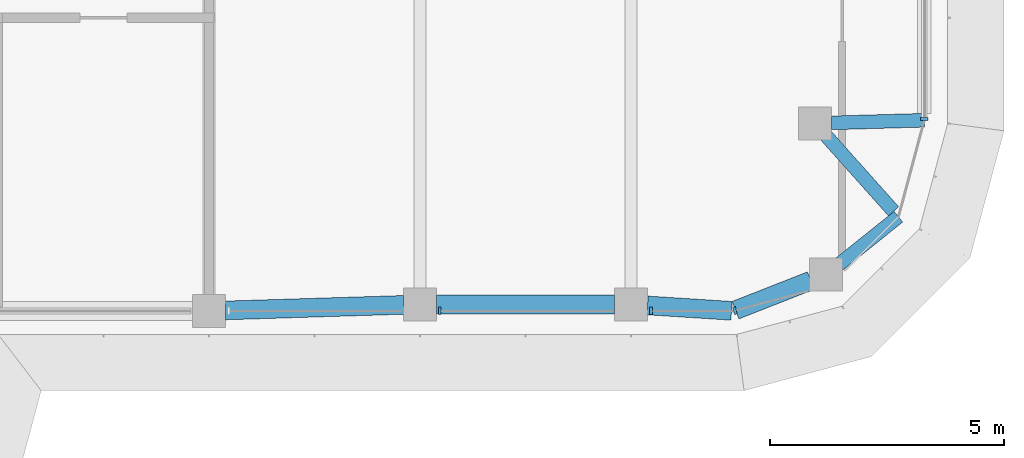
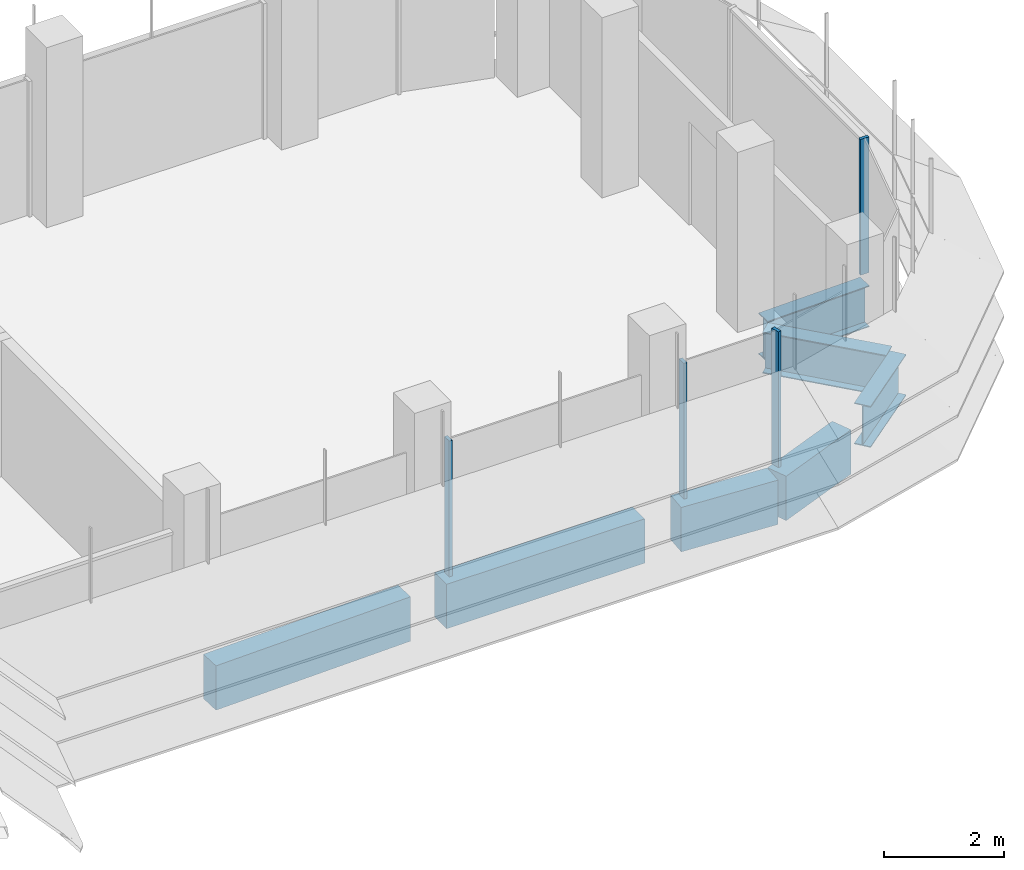
# One storey, part 5 of 18: 7 beams, 4 members, 3 elements without a shape of their own.
"""IFC4 building model written with IfcOpenShell, lengths in metres."""

from ifc_helpers import new_model, si_unit, direction, frame, origin, origin_2d, place, context, subcontext, project, spatial, polyline, rectangle, i_section, outline, extrude, source, transform, mapped, material, material_profile, profile_set, type_object, element, aggregate, save


model = new_model("IFC4")

# Units and contexts
model_context = context("Model", 3, precision=1e-05, world=origin(), true_north=direction((0.0, 1.0)))
body_context = subcontext(model_context, "Body", "Model", "MODEL_VIEW")
ifc_project = project(units=[si_unit("LENGTHUNIT", "METRE"), si_unit("AREAUNIT", "SQUARE_METRE"), si_unit("VOLUMEUNIT", "CUBIC_METRE"), si_unit("PLANEANGLEUNIT", "RADIAN"), si_unit("MASSUNIT", "GRAM", prefix="KILO")], contexts=[model_context])

# Site, building, storey
site_placement = place(None, origin())
site = spatial("IfcSite", under=ifc_project, at=site_placement, CompositionType="ELEMENT")
building_placement = place(site_placement, origin())
building = spatial("IfcBuilding", under=site, at=building_placement, Name="Zarbagh Exchange Tower", CompositionType="ELEMENT")
storey_placement = place(building_placement, frame((0.0, 0.0, 210.60009765625)))
storey = spatial("IfcBuildingStorey", under=building, at=storey_placement, Name="L51", CompositionType="ELEMENT", Elevation=210.60009765625)

# Beams
ifc_material_1 = material(Name="Steel ASTM A992 Gr 50", Category="steel")
ifc_material_profile_1 = material_profile(ifc_material_1, i_section(OverallWidth=0.2919921875, OverallDepth=0.835693359375, WebThickness=0.013916015625, FlangeThickness=0.018798828125, at=origin_2d()), Name="W33X118")
ifc_profile_set_1 = profile_set([ifc_material_profile_1], Name="Steel ASTM A992 Gr 50")
beam_type_1 = type_object("IfcBeamType", Name="Floor girder W33X118", PredefinedType="BEAM", material=ifc_profile_set_1)
beam_1_placement = place(storey_placement, frame((31.0, -2.18408203125, -0.56787109375), z_axis=(-0.999601581355, -0.028225494714, 0.0), x_axis=(0.028225494714, -0.999601581355, 0.0)))
element("IfcBeam", 1, at=beam_1_placement, inside=storey, type_object=beam_type_1, Name="Steel girder", PredefinedType="BEAM", context=body_context, shape_type="SweptSolid", body=[
    extrude(i_section(OverallWidth=0.2919921875, OverallDepth=0.835693359375, WebThickness=0.013916015625, FlangeThickness=0.018798828125, at=origin_2d()), origin(), (0.0, 0.0, 1.0), 1.980712890625),
])
beam_2_placement = place(storey_placement, frame((28.9033203125, -2.510986328125, -0.56787109375), z_axis=(0.666194955403, -0.745777635355, 0.0), x_axis=(0.745777635355, 0.666194955403, 0.0)))
element("IfcBeam", 2, at=beam_2_placement, inside=storey, type_object=beam_type_1, Name="Steel girder", PredefinedType="BEAM", context=body_context, shape_type="SweptSolid", body=[
    extrude(i_section(OverallWidth=0.2919921875, OverallDepth=0.835693359375, WebThickness=0.013916015625, FlangeThickness=0.018798828125, at=origin_2d()), origin(), (0.0, 0.0, 1.0), 2.165771484375),
])
beam_3_placement = place(storey_placement, frame((30.44873046875, -4.2412109375, -0.56787109375), z_axis=(-0.780619385558, -0.625006699877, 0.0), x_axis=(0.625006699877, -0.780619385558, 0.0)))
element("IfcBeam", 3, at=beam_3_placement, inside=storey, type_object=beam_type_1, Name="Steel girder", PredefinedType="BEAM", context=body_context, shape_type="SweptSolid", body=[
    extrude(i_section(OverallWidth=0.2919921875, OverallDepth=0.835693359375, WebThickness=0.013916015625, FlangeThickness=0.018798828125, at=origin_2d()), origin(), (0.0, 0.0, 1.0), 1.623779296875),
])
ifc_material_2 = material(Name="Concrete C50/60", Category="concrete")
ifc_material_profile_2 = material_profile(ifc_material_2, rectangle(XDim=0.39990234375, YDim=0.89990234375, at=origin_2d()), Name="RC spandrel beam 400 x 900 C50/60")
ifc_profile_set_2 = profile_set([ifc_material_profile_2], Name="Concrete C50/60")
beam_type_2 = type_object("IfcBeamType", Name="RC spandrel beam 400 x 900 C50/60", PredefinedType="SPANDREL", material=ifc_profile_set_2)
beam_4_placement = place(storey_placement, frame((28.582275390625, -5.602783203125, -0.60009765625), z_axis=(-0.930818525178, -0.365481700207, 0.0), x_axis=(0.365481700207, -0.930818525178, 0.0)))
element("IfcBeam", 4, at=beam_4_placement, inside=storey, type_object=beam_type_2, Name="RC spandrel beam", PredefinedType="SPANDREL", context=body_context, shape_type="SweptSolid", body=[
    extrude(rectangle(XDim=0.39990234375, YDim=0.89990234375, at=origin_2d()), origin(), (0.0, 0.0, 1.0), 1.72607421875),
])
beam_5_placement = place(storey_placement, frame((26.8896484375, -6.247314453125, -0.60009765625), z_axis=(-0.997943601797, 0.064098109429, 0.0), x_axis=(-0.064098109429, -0.997943601797, 0.0)))
element("IfcBeam", 5, at=beam_5_placement, inside=storey, type_object=beam_type_2, Name="RC spandrel beam", PredefinedType="SPANDREL", context=body_context, shape_type="SweptSolid", body=[
    extrude(rectangle(XDim=0.39990234375, YDim=0.89990234375, at=origin_2d()), origin(), (0.0, 0.0, 1.0), 1.7939453125),
])
beam_6_placement = place(storey_placement, frame((24.39990234375, -6.110107421875, -0.60009765625), z_axis=(-1.0, 0.0, 0.0), x_axis=(0.0, -1.0, 0.0)))
element("IfcBeam", 6, at=beam_6_placement, inside=storey, type_object=beam_type_2, Name="RC spandrel beam", PredefinedType="SPANDREL", context=body_context, shape_type="SweptSolid", body=[
    extrude(rectangle(XDim=0.39990234375, YDim=0.89990234375, at=origin_2d()), origin(), (0.0, 0.0, 1.0), 3.7998046875),
])
beam_7_placement = place(storey_placement, frame((19.900146484375, -6.120849609375, -0.60009765625), z_axis=(-0.999516950199, -0.031078389046, 0.0), x_axis=(0.031078389046, -0.999516950199, 0.0)))
element("IfcBeam", 7, at=beam_7_placement, inside=storey, type_object=beam_type_2, Name="RC spandrel beam", PredefinedType="SPANDREL", context=body_context, shape_type="SweptSolid", body=[
    extrude(rectangle(XDim=0.39990234375, YDim=0.89990234375, at=origin_2d()), origin(), (0.0, 0.0, 1.0), 3.80224609375),
])

# Curtain wall, members
ifc_material_3 = material(Name="Anodised aluminium frame and glazing", Category="aluminium")
curtain_wall_type = type_object("IfcCurtainWallType", Name="CWB Ribbon glazing, upper zones", PredefinedType="NOTDEFINED", material=ifc_material_3)
curtain_wall_1_placement = place(storey_placement, origin())
curtain_wall_1 = element("IfcCurtainWall", 8, at=curtain_wall_1_placement, inside=storey, type_object=curtain_wall_type, Name="CWB08 curtain wall", PredefinedType="NOTDEFINED")
ifc_material_4 = material(Name="Anodised aluminium frame", Category="aluminium")
member_type = type_object("IfcMemberType", Name="MUB Mullion, anodised aluminium frame", PredefinedType="MULLION", material=ifc_material_4)
shared_shape = source(origin(), body_context, "Body", "SweptSolid", [
    extrude(outline(polyline([(0.0, -0.080078125), (0.06005859375, -0.080078125), (0.06005859375, 0.080078125), (0.0, 0.080078125), (0.0, -0.080078125)])), origin(), (0.0, 0.0, 1.0), 2.75),
])
placement = place(storey_placement, origin())
member_1 = element("IfcMember", 9, at=placement, type_object=member_type, Name="CWB08 mullion 3.1", PredefinedType="MULLION", context=body_context, shape_type="MappedRepresentation", body=[
    mapped(shared_shape, transform((20.64013671875, -6.25, 0.0), x_axis=(1.0, 0.0, 0.0), y_axis=(0.0, 1.0, 0.0), z_axis=(0.0, 0.0, 1.0))),
])
member_2 = element("IfcMember", 10, at=placement, type_object=member_type, Name="CWB08 mullion 4.1", PredefinedType="MULLION", context=body_context, shape_type="MappedRepresentation", body=[
    mapped(shared_shape, transform((25.14013671875, -6.25, 0.0), x_axis=(1.0, 0.0, 0.0), y_axis=(0.0, 1.0, 0.0), z_axis=(0.0, 0.0, 1.0))),
])
aggregate(curtain_wall_1, [member_1, member_2])

# Curtain wall, member
curtain_wall_2_placement = place(storey_placement, origin())
curtain_wall_2 = element("IfcCurtainWall", 11, at=curtain_wall_2_placement, inside=storey, type_object=curtain_wall_type, Name="CWB09 curtain wall", PredefinedType="NOTDEFINED")
member_3 = element("IfcMember", 12, at=placement, type_object=member_type, Name="CWB09 mullion 1.1", PredefinedType="MULLION", context=body_context, shape_type="MappedRepresentation", body=[
    mapped(shared_shape, transform((26.93408203125, -6.25, 0.0), x_axis=(0.965924289636, 0.258824779902, 0.0), y_axis=(-0.258824779902, 0.965924289636, 0.0), z_axis=(0.0, 0.0, 1.0))),
])
aggregate(curtain_wall_2, [member_3])

curtain_wall_3_placement = place(storey_placement, origin())
curtain_wall_3 = element("IfcCurtainWall", 13, at=curtain_wall_3_placement, inside=storey, type_object=curtain_wall_type, Name="CWB12 curtain wall", PredefinedType="NOTDEFINED")
member_4 = element("IfcMember", 14, at=placement, type_object=member_type, Name="CWB12 mullion 1.1", PredefinedType="MULLION", context=body_context, shape_type="MappedRepresentation", body=[
    mapped(shared_shape, transform((31.0, -2.18408203125, 0.0), x_axis=(0.0, 1.0, 0.0), y_axis=(-1.0, 0.0, 0.0), z_axis=(0.0, 0.0, 1.0))),
])
aggregate(curtain_wall_3, [member_4])

save(model, "model.ifc")
